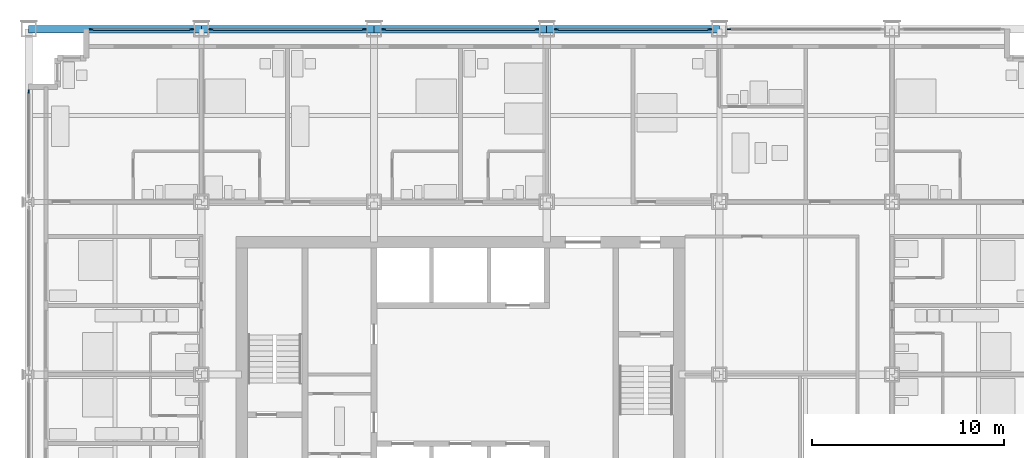
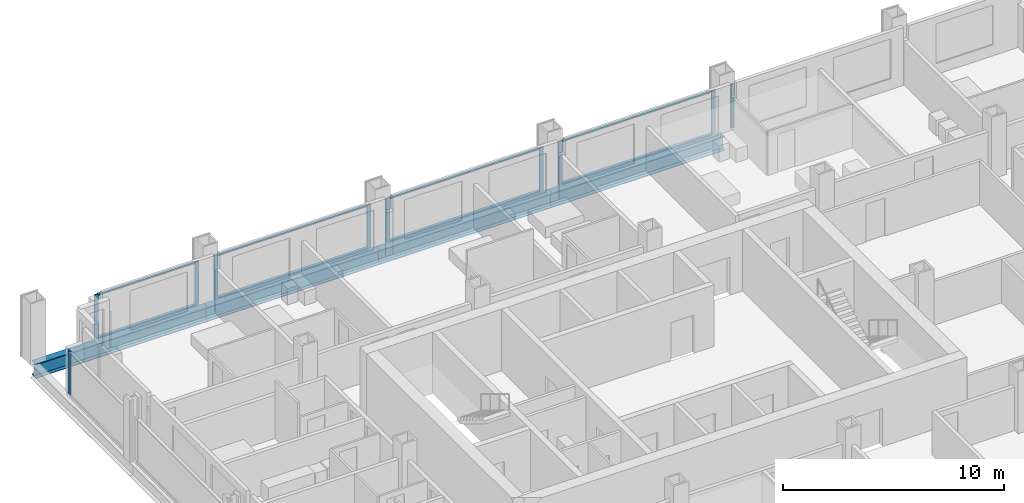
# One storey, part 7 of 18: 18 members, 4 beams, 6 elements without a shape of their own.
"""IFC4 building model written with IfcOpenShell, lengths in metres."""

from ifc_helpers import new_model, si_unit, direction, frame, origin, origin_2d, place, context, subcontext, project, spatial, rectangle, i_section, extrude, material, material_profile, profile_set, type_object, element, aggregate, save


model = new_model("IFC4")

# Units and contexts
model_context = context("Model", 3, precision=1e-05, world=origin(), true_north=direction((0.0, 1.0)))
body_context = subcontext(model_context, "Body", "Model", "MODEL_VIEW")
ifc_project = project(units=[si_unit("LENGTHUNIT", "METRE"), si_unit("AREAUNIT", "SQUARE_METRE"), si_unit("VOLUMEUNIT", "CUBIC_METRE"), si_unit("PLANEANGLEUNIT", "RADIAN"), si_unit("MASSUNIT", "GRAM", prefix="KILO")], contexts=[model_context])

# Site, building, storey
site_placement = place(None, origin())
site = spatial("IfcSite", under=ifc_project, at=site_placement, CompositionType="ELEMENT")
building_placement = place(site_placement, origin())
building = spatial("IfcBuilding", under=site, at=building_placement, Name="Loomwork Tower", CompositionType="ELEMENT")
storey_placement = place(building_placement, frame((0.0, 0.0, 58.60009765625)))
storey = spatial("IfcBuildingStorey", under=building, at=storey_placement, Name="L14", CompositionType="ELEMENT", Elevation=58.60009765625)

# Curtain wall, members
ifc_material_1 = material(Name="Aluminium curtain wall frame", Category="aluminium")
curtain_wall_type = type_object("IfcCurtainWallType", Name="Outer skin glazing hotel", PredefinedType="NOTDEFINED", material=ifc_material_1)
curtain_wall_1_placement = place(storey_placement, origin())
curtain_wall_1 = element("IfcCurtainWall", 1, at=curtain_wall_1_placement, inside=storey, type_object=curtain_wall_type, Name="Outer skin glazing hotel cw/N-0", PredefinedType="NOTDEFINED")
ifc_material_2 = material(Name="Aluminium curtain wall frame", Category="aluminium")
ifc_material_profile_1 = material_profile(ifc_material_2, rectangle(XDim=0.06494140625, YDim=0.199951171875, at=origin_2d()), Name="AL 65x200")
ifc_profile_set_1 = profile_set([ifc_material_profile_1], Name="Aluminium curtain wall frame")
member_type_1 = type_object("IfcMemberType", Name="Outer skin glazing hotel mullion", PredefinedType="MULLION", material=ifc_profile_set_1)
member_1_placement = place(storey_placement, frame((8.5, 36.0, 0.0), z_axis=(0.0, 0.0, 1.0), x_axis=(0.0, -1.0, 0.0)))
member_1 = element("IfcMember", 2, at=member_1_placement, type_object=member_type_1, Name="CW1 mullion 1", PredefinedType="MULLION", context=body_context, shape_type="SweptSolid", body=[
    extrude(rectangle(XDim=0.06494140625, YDim=0.199951171875, at=origin_2d()), origin(), (0.0, 0.0, 1.0), 2.420166015625),
])
member_2_placement = place(storey_placement, frame((3.25, 36.0, 0.0), z_axis=(0.0, 0.0, 1.0), x_axis=(0.0, -1.0, 0.0)))
member_2 = element("IfcMember", 3, at=member_2_placement, type_object=member_type_1, Name="CW1 mullion 2", PredefinedType="MULLION", context=body_context, shape_type="SweptSolid", body=[
    extrude(rectangle(XDim=0.06494140625, YDim=0.199951171875, at=origin_2d()), origin(), (0.0, 0.0, 1.0), 2.420166015625),
])

curtain_wall_2_placement = place(storey_placement, origin())
curtain_wall_2 = element("IfcCurtainWall", 4, at=curtain_wall_2_placement, inside=storey, type_object=curtain_wall_type, Name="Outer skin glazing hotel cw/N-9", PredefinedType="NOTDEFINED")
member_3_placement = place(storey_placement, frame((17.5, 36.0, 0.0), z_axis=(0.0, 0.0, 1.0), x_axis=(0.0, -1.0, 0.0)))
member_3 = element("IfcMember", 5, at=member_3_placement, type_object=member_type_1, Name="CW1 mullion 1", PredefinedType="MULLION", context=body_context, shape_type="SweptSolid", body=[
    extrude(rectangle(XDim=0.06494140625, YDim=0.199951171875, at=origin_2d()), origin(), (0.0, 0.0, 1.0), 2.420166015625),
])
member_4_placement = place(storey_placement, frame((9.5, 36.0, 0.0), z_axis=(0.0, 0.0, 1.0), x_axis=(0.0, -1.0, 0.0)))
member_4 = element("IfcMember", 6, at=member_4_placement, type_object=member_type_1, Name="CW1 mullion 2", PredefinedType="MULLION", context=body_context, shape_type="SweptSolid", body=[
    extrude(rectangle(XDim=0.06494140625, YDim=0.199951171875, at=origin_2d()), origin(), (0.0, 0.0, 1.0), 2.420166015625),
])

curtain_wall_3_placement = place(storey_placement, origin())
curtain_wall_3 = element("IfcCurtainWall", 7, at=curtain_wall_3_placement, inside=storey, type_object=curtain_wall_type, Name="Outer skin glazing hotel cw/N-18", PredefinedType="NOTDEFINED")
member_5_placement = place(storey_placement, frame((26.5, 36.0, 0.0), z_axis=(0.0, 0.0, 1.0), x_axis=(0.0, -1.0, 0.0)))
member_5 = element("IfcMember", 8, at=member_5_placement, type_object=member_type_1, Name="CW1 mullion 1", PredefinedType="MULLION", context=body_context, shape_type="SweptSolid", body=[
    extrude(rectangle(XDim=0.06494140625, YDim=0.199951171875, at=origin_2d()), origin(), (0.0, 0.0, 1.0), 2.420166015625),
])
member_6_placement = place(storey_placement, frame((18.5, 36.0, 0.0), z_axis=(0.0, 0.0, 1.0), x_axis=(0.0, -1.0, 0.0)))
member_6 = element("IfcMember", 9, at=member_6_placement, type_object=member_type_1, Name="CW1 mullion 2", PredefinedType="MULLION", context=body_context, shape_type="SweptSolid", body=[
    extrude(rectangle(XDim=0.06494140625, YDim=0.199951171875, at=origin_2d()), origin(), (0.0, 0.0, 1.0), 2.420166015625),
])

curtain_wall_4_placement = place(storey_placement, origin())
curtain_wall_4 = element("IfcCurtainWall", 10, at=curtain_wall_4_placement, inside=storey, type_object=curtain_wall_type, Name="Outer skin glazing hotel cw/N-27", PredefinedType="NOTDEFINED")
member_7_placement = place(storey_placement, frame((35.5, 36.0, 0.0), z_axis=(0.0, 0.0, 1.0), x_axis=(0.0, -1.0, 0.0)))
member_7 = element("IfcMember", 11, at=member_7_placement, type_object=member_type_1, Name="CW1 mullion 1", PredefinedType="MULLION", context=body_context, shape_type="SweptSolid", body=[
    extrude(rectangle(XDim=0.06494140625, YDim=0.199951171875, at=origin_2d()), origin(), (0.0, 0.0, 1.0), 2.420166015625),
])
member_8_placement = place(storey_placement, frame((27.5, 36.0, 0.0), z_axis=(0.0, 0.0, 1.0), x_axis=(0.0, -1.0, 0.0)))
member_8 = element("IfcMember", 12, at=member_8_placement, type_object=member_type_1, Name="CW1 mullion 2", PredefinedType="MULLION", context=body_context, shape_type="SweptSolid", body=[
    extrude(rectangle(XDim=0.06494140625, YDim=0.199951171875, at=origin_2d()), origin(), (0.0, 0.0, 1.0), 2.420166015625),
])

# Curtain wall, member
curtain_wall_5_placement = place(storey_placement, origin())
curtain_wall_5 = element("IfcCurtainWall", 13, at=curtain_wall_5_placement, inside=storey, type_object=curtain_wall_type, Name="Outer skin glazing hotel cw/N-36", PredefinedType="NOTDEFINED")
member_9_placement = place(storey_placement, frame((36.5, 36.0, 0.0), z_axis=(0.0, 0.0, 1.0), x_axis=(0.0, -1.0, 0.0)))
member_9 = element("IfcMember", 14, at=member_9_placement, type_object=member_type_1, Name="CW1 mullion 2", PredefinedType="MULLION", context=body_context, shape_type="SweptSolid", body=[
    extrude(rectangle(XDim=0.06494140625, YDim=0.199951171875, at=origin_2d()), origin(), (0.0, 0.0, 1.0), 2.420166015625),
])
aggregate(curtain_wall_5, [member_9])

curtain_wall_6_placement = place(storey_placement, origin())
curtain_wall_6 = element("IfcCurtainWall", 15, at=curtain_wall_6_placement, inside=storey, type_object=curtain_wall_type, Name="Outer skin glazing hotel cw/W-27", PredefinedType="NOTDEFINED")
member_10_placement = place(storey_placement, frame((0.0, 32.75, 0.0), z_axis=(0.0, 0.0, 1.0), x_axis=(1.0, 0.0, 0.0)))
member_10 = element("IfcMember", 16, at=member_10_placement, type_object=member_type_1, Name="CW1 mullion 1", PredefinedType="MULLION", context=body_context, shape_type="SweptSolid", body=[
    extrude(rectangle(XDim=0.06494140625, YDim=0.199951171875, at=origin_2d()), origin(), (0.0, 0.0, 1.0), 2.420166015625),
])
aggregate(curtain_wall_6, [member_10])

# Member
ifc_material_3 = material(Name="Aluminium curtain wall frame", Category="aluminium")
ifc_material_profile_2 = material_profile(ifc_material_3, rectangle(XDim=0.14990234375, YDim=0.06494140625, at=origin_2d()), Name="AL 65x150")
ifc_profile_set_2 = profile_set([ifc_material_profile_2], Name="Aluminium curtain wall frame")
member_type_2 = type_object("IfcMemberType", Name="Outer skin glazing hotel transom", PredefinedType="USERDEFINED", material=ifc_profile_set_2)
member_11_placement = place(storey_placement, frame((8.39990234375, 36.0, 0.032470703125), z_axis=(-1.0, 0.0, 0.0), x_axis=(0.0, -1.0, 0.0)))
member_11 = element("IfcMember", 17, at=member_11_placement, type_object=member_type_2, Name="CW1 transom 1.1", ObjectType="TRANSOM", PredefinedType="USERDEFINED", context=body_context, shape_type="SweptSolid", body=[
    extrude(rectangle(XDim=0.14990234375, YDim=0.06494140625, at=origin_2d()), origin(), (0.0, 0.0, 1.0), 5.0498046875),
])

member_12_placement = place(storey_placement, frame((8.39990234375, 36.0, 2.3876953125), z_axis=(-1.0, 0.0, 0.0), x_axis=(0.0, -1.0, 0.0)))
member_12 = element("IfcMember", 18, at=member_12_placement, type_object=member_type_2, Name="CW1 transom 1.2", ObjectType="TRANSOM", PredefinedType="USERDEFINED", context=body_context, shape_type="SweptSolid", body=[
    extrude(rectangle(XDim=0.14990234375, YDim=0.06494140625, at=origin_2d()), origin(), (0.0, 0.0, 1.0), 5.0498046875),
])

aggregate(curtain_wall_1, [member_1, member_2, member_11, member_12])

member_13_placement = place(storey_placement, frame((17.39990234375, 36.0, 0.032470703125), z_axis=(-1.0, 0.0, 0.0), x_axis=(0.0, -1.0, 0.0)))
member_13 = element("IfcMember", 19, at=member_13_placement, type_object=member_type_2, Name="CW1 transom 1.1", ObjectType="TRANSOM", PredefinedType="USERDEFINED", context=body_context, shape_type="SweptSolid", body=[
    extrude(rectangle(XDim=0.14990234375, YDim=0.06494140625, at=origin_2d()), origin(), (0.0, 0.0, 1.0), 7.7998046875),
])

member_14_placement = place(storey_placement, frame((17.39990234375, 36.0, 2.3876953125), z_axis=(-1.0, 0.0, 0.0), x_axis=(0.0, -1.0, 0.0)))
member_14 = element("IfcMember", 20, at=member_14_placement, type_object=member_type_2, Name="CW1 transom 1.2", ObjectType="TRANSOM", PredefinedType="USERDEFINED", context=body_context, shape_type="SweptSolid", body=[
    extrude(rectangle(XDim=0.14990234375, YDim=0.06494140625, at=origin_2d()), origin(), (0.0, 0.0, 1.0), 7.7998046875),
])

aggregate(curtain_wall_2, [member_3, member_4, member_13, member_14])

member_15_placement = place(storey_placement, frame((26.39990234375, 36.0, 0.032470703125), z_axis=(-1.0, 0.0, 0.0), x_axis=(0.0, -1.0, 0.0)))
member_15 = element("IfcMember", 21, at=member_15_placement, type_object=member_type_2, Name="CW1 transom 1.1", ObjectType="TRANSOM", PredefinedType="USERDEFINED", context=body_context, shape_type="SweptSolid", body=[
    extrude(rectangle(XDim=0.14990234375, YDim=0.06494140625, at=origin_2d()), origin(), (0.0, 0.0, 1.0), 7.7998046875),
])

member_16_placement = place(storey_placement, frame((26.39990234375, 36.0, 2.3876953125), z_axis=(-1.0, 0.0, 0.0), x_axis=(0.0, -1.0, 0.0)))
member_16 = element("IfcMember", 22, at=member_16_placement, type_object=member_type_2, Name="CW1 transom 1.2", ObjectType="TRANSOM", PredefinedType="USERDEFINED", context=body_context, shape_type="SweptSolid", body=[
    extrude(rectangle(XDim=0.14990234375, YDim=0.06494140625, at=origin_2d()), origin(), (0.0, 0.0, 1.0), 7.7998046875),
])

aggregate(curtain_wall_3, [member_5, member_6, member_15, member_16])

member_17_placement = place(storey_placement, frame((35.39990234375, 36.0, 0.032470703125), z_axis=(-1.0, 0.0, 0.0), x_axis=(0.0, -1.0, 0.0)))
member_17 = element("IfcMember", 23, at=member_17_placement, type_object=member_type_2, Name="CW1 transom 1.1", ObjectType="TRANSOM", PredefinedType="USERDEFINED", context=body_context, shape_type="SweptSolid", body=[
    extrude(rectangle(XDim=0.14990234375, YDim=0.06494140625, at=origin_2d()), origin(), (0.0, 0.0, 1.0), 7.7998046875),
])

member_18_placement = place(storey_placement, frame((35.39990234375, 36.0, 2.3876953125), z_axis=(-1.0, 0.0, 0.0), x_axis=(0.0, -1.0, 0.0)))
member_18 = element("IfcMember", 24, at=member_18_placement, type_object=member_type_2, Name="CW1 transom 1.2", ObjectType="TRANSOM", PredefinedType="USERDEFINED", context=body_context, shape_type="SweptSolid", body=[
    extrude(rectangle(XDim=0.14990234375, YDim=0.06494140625, at=origin_2d()), origin(), (0.0, 0.0, 1.0), 7.7998046875),
])

aggregate(curtain_wall_4, [member_7, member_8, member_17, member_18])

# Beams
ifc_material_4 = material(Name="Steel ASTM A992", Category="steel")
ifc_material_profile_3 = material_profile(ifc_material_4, i_section(OverallWidth=0.381103515625, OverallDepth=0.77978515625, WebThickness=0.01806640625, FlangeThickness=0.0302734375, at=origin_2d()), Name="W30x191")
ifc_profile_set_3 = profile_set([ifc_material_profile_3], Name="Steel ASTM A992")
beam_type = type_object("IfcBeamType", Name="SPANDREL GIRDER W30x191", PredefinedType="SPANDREL", material=ifc_profile_set_3)
for number, where, z_axis, x_axis, name in (
    (25, (0.0, 36.0, -0.590087890625), (1.0, 0.0, 0.0), (0.0, 1.0, 0.0), "Spandrel Girder H/2-H/3 L14"),
    (26, (9.0, 36.0, -0.590087890625), (1.0, 0.0, 0.0), (0.0, 1.0, 0.0), "Spandrel Girder H/3-H/4 L14"),
    (27, (18.0, 36.0, -0.590087890625), (1.0, 0.0, 0.0), (0.0, 1.0, 0.0), "Spandrel Girder H/4-H/5 L14"),
    (28, (27.0, 36.0, -0.590087890625), (1.0, 0.0, 0.0), (0.0, 1.0, 0.0), "Spandrel Girder H/5-H/6 L14"),
):
    element("IfcBeam", number, at=place(storey_placement, frame(where, z_axis=z_axis, x_axis=x_axis)), inside=storey, type_object=beam_type, Name=name, PredefinedType="SPANDREL", context=body_context, shape_type="SweptSolid", body=[
        extrude(i_section(OverallWidth=0.381103515625, OverallDepth=0.77978515625, WebThickness=0.01806640625, FlangeThickness=0.0302734375, at=origin_2d()), origin(), (0.0, 0.0, 1.0), 9.0),
    ])

save(model, "model.ifc")
